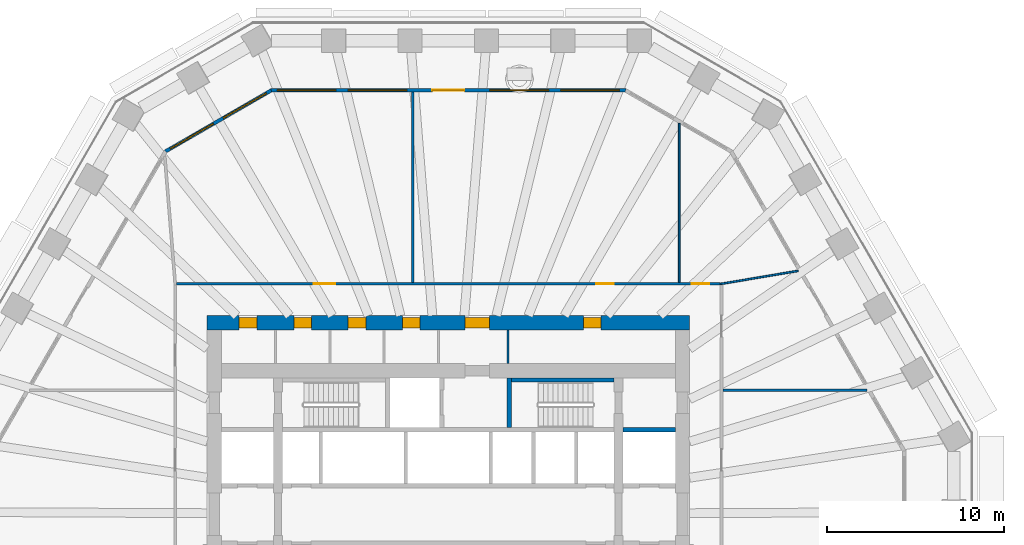
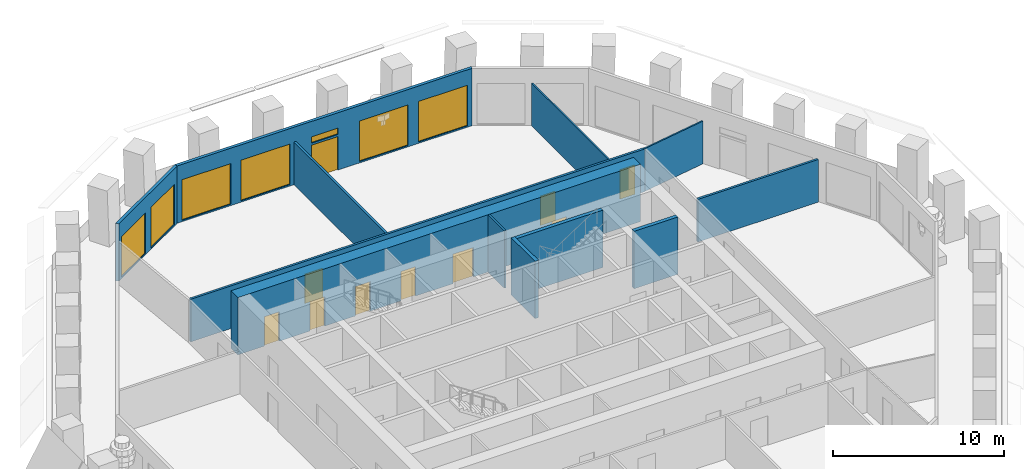
# One storey, part 7 of 12: 12 walls, 10 doors, 7 windows, 17 openings.
"""IFC4 building model written with IfcOpenShell, lengths in metres."""

import ifcopenshell
import ifcopenshell.guid

model = None  # the IFC model being written
_history = None  # IfcOwnerHistory: only IFC2X3 demands one
_inside = {}  # id of a spatial element -> (the spatial element, [elements in it])
_under = {}  # id of a project, library or spatial element -> (it, [spatial elements below it])
_declared = {}  # id of a project -> (the project, [libraries it declares])
_typed = {}  # id of a type object -> (the type object, [elements of that type])
_made_of = {}  # id of a material, layer set ... -> (it, [elements and type objects made of it])


def new_model(schema):
    """Start an empty IFC model of exactly this schema.

    Asked for "IFC4X3", IfcOpenShell would pick the latest addendum, in which some entities
    have other attributes; the version numbers below select the first issue.
    IFC2X3 requires an IfcOwnerHistory on every rooted entity: one is made here for all.
    """
    global model, _history
    if schema == "IFC4X3":
        model = ifcopenshell.file(schema_version=(4, 3, 0, 0))
    else:
        model = ifcopenshell.file(schema=schema)
    _inside.clear()
    _under.clear()
    _declared.clear()
    _typed.clear()
    _made_of.clear()
    _history = None
    if model.schema == "IFC2X3":
        org = make("IfcOrganization", Name="unknown")
        user = make(
            "IfcPersonAndOrganization",
            ThePerson=make("IfcPerson", FamilyName="unknown"),
            TheOrganization=org,
        )
        app = make(
            "IfcApplication",
            ApplicationDeveloper=org,
            Version="unknown",
            ApplicationFullName="unknown",
            ApplicationIdentifier="unknown",
        )
        _history = make(
            "IfcOwnerHistory",
            OwningUser=user,
            OwningApplication=app,
            ChangeAction="ADDED",
            CreationDate=0,
        )
    return model


def make(cls, **values):
    """One entity of the class cls with the attributes given. An attribute that is None is left unset."""
    return model.create_entity(
        cls, **{name: value for name, value in values.items() if value is not None}
    )


def rooted(cls, **values):
    """An entity with a GlobalId (a new one), such as an element, a storey or a relation."""
    return make(cls, GlobalId=ifcopenshell.guid.new(), OwnerHistory=_history, **values)


def si_unit(unit_type, name, prefix=None):
    """IfcSIUnit, for example si_unit("LENGTHUNIT", "METRE", prefix="MILLI")."""
    return make("IfcSIUnit", UnitType=unit_type, Prefix=prefix, Name=name)


def assignment(units):
    """IfcUnitAssignment: the units of a project."""
    return None if units is None else make("IfcUnitAssignment", Units=units)


def point(xyz):
    """IfcCartesianPoint."""
    return None if xyz is None else make("IfcCartesianPoint", Coordinates=xyz)


def direction(xyz):
    """IfcDirection."""
    return None if xyz is None else make("IfcDirection", DirectionRatios=xyz)


def frame(location, z_axis=None, x_axis=None):
    """IfcAxis2Placement3D, a coordinate frame: its origin and axes. An axis left out is left unset."""
    return make(
        "IfcAxis2Placement3D",
        Location=point(location),
        Axis=direction(z_axis),
        RefDirection=direction(x_axis),
    )


def frame_2d(location, x_axis=None):
    """IfcAxis2Placement2D, a coordinate frame in the plane: its origin and x axis."""
    return make(
        "IfcAxis2Placement2D", Location=point(location), RefDirection=direction(x_axis)
    )


def origin():
    """The frame at (0, 0, 0) with its axes left unset."""
    return frame((0.0, 0.0, 0.0))


def place(relative_to, where):
    """IfcLocalPlacement: puts the frame where relative to a parent placement (None: the world)."""
    return make(
        "IfcLocalPlacement", PlacementRelTo=relative_to, RelativePlacement=where
    )


def context(
    kind, dimensions, precision=None, world=None, true_north=None, identifier=None
):
    """IfcGeometricRepresentationContext, for example the 3D "Model" context."""
    return make(
        "IfcGeometricRepresentationContext",
        ContextIdentifier=identifier,
        ContextType=kind,
        CoordinateSpaceDimension=dimensions,
        Precision=precision,
        WorldCoordinateSystem=world,
        TrueNorth=true_north,
    )


def subcontext(parent, identifier, kind, view, scale=None):
    """IfcGeometricRepresentationSubContext, for example "Body" below "Model"."""
    return make(
        "IfcGeometricRepresentationSubContext",
        ContextIdentifier=identifier,
        ContextType=kind,
        ParentContext=parent,
        TargetScale=scale,
        TargetView=view,
    )


def project(units=None, contexts=None):
    """IfcProject with its units and contexts."""
    return rooted(
        "IfcProject",
        Name="project",
        RepresentationContexts=contexts,
        UnitsInContext=assignment(units),
    )


def spatial(cls, under=None, at=None, **own):
    """A site, building, storey or space (cls), placed at a placement, below another one or the project."""
    s = rooted(cls, ObjectPlacement=at, **own)
    if under is not None:
        _under.setdefault(under.id(), (under, []))[1].append(s)
    return s


def polyline(points):
    """IfcPolyline through the points."""
    return make("IfcPolyline", Points=[point(p) for p in points])


def profile(cls, at=None, kind="AREA", **sizes):
    """A parametric profile (cls). Its sizes go by their IFC names, for example OverallWidth=200.0."""
    return make(cls, ProfileType=kind, Position=at, **sizes)


def rectangle(**sizes):
    """IfcRectangleProfileDef."""
    return profile("IfcRectangleProfileDef", **sizes)


def outline(outer, holes=None, kind="AREA"):
    """IfcArbitraryClosedProfileDef: a profile drawn as a closed curve; with holes, ...WithVoids."""
    if holes is None:
        return make("IfcArbitraryClosedProfileDef", ProfileType=kind, OuterCurve=outer)
    return make(
        "IfcArbitraryProfileDefWithVoids",
        ProfileType=kind,
        OuterCurve=outer,
        InnerCurves=holes,
    )


def extrude(swept, where, along, depth):
    """IfcExtrudedAreaSolid: the profile swept, set in the frame where, extruded along a direction by depth."""
    return make(
        "IfcExtrudedAreaSolid",
        SweptArea=swept,
        Position=where,
        ExtrudedDirection=direction(along),
        Depth=depth,
    )


def shape(context_of_items, identifier, shape_type, items):
    """IfcShapeRepresentation: the items that make up one representation, for example the "Body"."""
    return make(
        "IfcShapeRepresentation",
        ContextOfItems=context_of_items,
        RepresentationIdentifier=identifier,
        RepresentationType=shape_type,
        Items=items,
    )


def material(Name=None, Category=None):
    """IfcMaterial."""
    return make("IfcMaterial", Name=Name, Category=Category)


def layer(
    of_material, thickness, ventilated=None, Name=None, Category=None, Priority=None
):
    """IfcMaterialLayer: one layer of a wall or slab, of a material (None: an air gap)."""
    return make(
        "IfcMaterialLayer",
        Material=of_material,
        LayerThickness=thickness,
        IsVentilated=ventilated,
        Name=Name,
        Category=Category,
        Priority=Priority,
    )


def layer_set(layers, Name=None):
    """IfcMaterialLayerSet."""
    return make("IfcMaterialLayerSet", MaterialLayers=layers, LayerSetName=Name)


def made_of(thing, what):
    """Note that an element or type object is made of a material, layer set ...; save() writes the relation."""
    if what is not None:
        _made_of.setdefault(what.id(), (what, []))[1].append(thing)
    return thing


def type_object(cls, material=None, **own):
    """A type object (cls), such as IfcWallType, which elements share."""
    return made_of(rooted(cls, **own), material)


def element(
    cls,
    number,
    at=None,
    inside=None,
    cuts=None,
    type_object=None,
    material=None,
    context=None,
    identifier="Body",
    shape_type=None,
    held_by="IfcProductDefinitionShape",
    body=None,
    shapes=None,
    **own,
):
    """One element of the class cls, such as IfcWall. Its Tag is "e" and its number.

    at: its placement. inside: the storey or other place that contains it. cuts: it is an
    opening in that element (IfcRelVoidsElement). A single representation is given by context,
    identifier, shape_type and body (its items); several are given by shapes. held_by: the class
    of the entity that holds the representations. save() writes the other relations.
    """
    e = rooted(cls, Tag="e%d" % number, ObjectPlacement=at, **own)
    if body is not None:
        shapes = [shape(context, identifier, shape_type, body)]
    if shapes is not None:
        e.Representation = make(held_by, Representations=shapes)
    if inside is not None:
        _inside.setdefault(inside.id(), (inside, []))[1].append(e)
    if cuts is not None:
        rooted(
            "IfcRelVoidsElement", RelatingBuildingElement=cuts, RelatedOpeningElement=e
        )
    if type_object is not None:
        _typed.setdefault(type_object.id(), (type_object, []))[1].append(e)
    return made_of(e, material)


def fill(opening, filler):
    """IfcRelFillsElement: the door or window that sits in an opening."""
    return rooted(
        "IfcRelFillsElement",
        RelatingOpeningElement=opening,
        RelatedBuildingElement=filler,
    )


def aggregate(whole, parts):
    """IfcRelAggregates: a whole, such as a stair, and the parts it consists of."""
    return rooted("IfcRelAggregates", RelatingObject=whole, RelatedObjects=parts)


def save(model, path):
    """Write the relations noted so far, then the file.

    IfcRelAggregates (storeys below a building ...), IfcRelContainedInSpatialStructure (elements
    in a storey), IfcRelDefinesByType, IfcRelAssociatesMaterial and IfcRelDeclares: one each for
    every whole, place, type object, material and project.
    """
    for whole, parts in _under.values():
        aggregate(whole, parts)
    for where, things in _inside.values():
        rooted(
            "IfcRelContainedInSpatialStructure",
            RelatedElements=things,
            RelatingStructure=where,
        )
    for kind, things in _typed.values():
        rooted("IfcRelDefinesByType", RelatedObjects=things, RelatingType=kind)
    for what, things in _made_of.values():
        rooted("IfcRelAssociatesMaterial", RelatedObjects=things, RelatingMaterial=what)
    for by, libraries in _declared.values():
        rooted("IfcRelDeclares", RelatingContext=by, RelatedDefinitions=libraries)
    model.write(path)


model = new_model("IFC4")

# Units and contexts
model_context = context("Model", 3, precision=1e-05, world=origin(), true_north=direction((0.0, 1.0)))
body_context = subcontext(model_context, "Body", "Model", "MODEL_VIEW")
ifc_project = project(units=[si_unit("LENGTHUNIT", "METRE"), si_unit("AREAUNIT", "SQUARE_METRE"), si_unit("VOLUMEUNIT", "CUBIC_METRE"), si_unit("PLANEANGLEUNIT", "RADIAN"), si_unit("MASSUNIT", "GRAM", prefix="KILO")], contexts=[model_context])

# Site, building, storey
site_placement = place(None, origin())
site = spatial("IfcSite", under=ifc_project, at=site_placement, CompositionType="ELEMENT")
building_placement = place(site_placement, origin())
building = spatial("IfcBuilding", under=site, at=building_placement, Name="Frailejon Research Tower", CompositionType="ELEMENT")
storey_placement = place(building_placement, frame((0.0, 0.0, 85.199951171875)))
storey = spatial("IfcBuildingStorey", under=building, at=storey_placement, Name="L18", CompositionType="ELEMENT", Elevation=85.199951171875)

# Wall
ifc_material_1 = material(Name="Plasterboard on steel studs", Category="steel")
ifc_layer_1 = layer(ifc_material_1, 0.125)
ifc_layer_set_1 = layer_set([ifc_layer_1], Name="Core partition 125")
wall_type_1 = type_object("IfcWallType", Name="Core partition 125", PredefinedType="PARTITIONING", material=ifc_layer_set_1)
wall_1_placement = place(storey_placement, frame((3.362548828125, 8.5, 0.0), z_axis=(0.0, 0.0, 1.0), x_axis=(0.0, 1.0, 0.0)))
element("IfcWall", 1, at=wall_1_placement, inside=storey, type_object=wall_type_1, Name="Core partition", PredefinedType="PARTITIONING", context=body_context, shape_type="SweptSolid", body=[
    extrude(rectangle(XDim=1.89990234375, YDim=0.125, at=frame_2d((0.949951171875, 0.0))), origin(), (0.0, 0.0, 1.0), 4.10009765625),
])

# Wall, openings, doors
ifc_material_2 = material(Name="Concrete C70/85", Category="concrete")
ifc_layer_2 = layer(ifc_material_2, 0.800048828125)
ifc_layer_set_2 = layer_set([ifc_layer_2], Name="Core shear wall 800 C70/85")
wall_type_2 = type_object("IfcWallType", Name="Core shear wall 800 C70/85", PredefinedType="SHEAR", material=ifc_layer_set_2)
wall_2_placement = place(storey_placement, frame((-13.60009765625, 10.800048828125, 0.0), z_axis=(0.0, 0.0, 1.0), x_axis=(1.0, 0.0, 0.0)))
wall_2 = element("IfcWall", 2, at=wall_2_placement, inside=storey, type_object=wall_type_2, Name="Core shear wall", PredefinedType="SHEAR", context=body_context, shape_type="SweptSolid", body=[
    extrude(rectangle(XDim=27.2001953125, YDim=0.800048828125, at=frame_2d((13.60009765625, 0.0))), origin(), (0.0, 0.0, 1.0), 4.10009765625),
])
opening_1_placement = place(wall_2_placement, frame((1.79833984375, 0.0, 0.0)))
opening_1 = element("IfcOpeningElement", 3, at=opening_1_placement, cuts=wall_2, Name="Opening D4", PredefinedType="OPENING", context=body_context, shape_type="SweptSolid", body=[
    extrude(rectangle(XDim=1.0, YDim=2.10009765625, at=frame_2d((0.5, 1.050048828125))), frame((0.0, 0.409912109375, 0.0), z_axis=(0.0, -1.0, 0.0), x_axis=(1.0, 0.0, 0.0)), (0.0, 0.0, 1.0), 0.820068359375),
])
opening_2_placement = place(wall_2_placement, frame((4.88916015625, 0.0, 0.0)))
opening_2 = element("IfcOpeningElement", 4, at=opening_2_placement, cuts=wall_2, Name="Opening D4", PredefinedType="OPENING", context=body_context, shape_type="SweptSolid", body=[
    extrude(rectangle(XDim=1.0, YDim=2.10009765625, at=frame_2d((0.5, 1.050048828125))), frame((0.0, 0.409912109375, 0.0), z_axis=(0.0, -1.0, 0.0), x_axis=(1.0, 0.0, 0.0)), (0.0, 0.0, 1.0), 0.820068359375),
])
opening_3_placement = place(wall_2_placement, frame((7.948486328125, 0.0, 0.0)))
opening_3 = element("IfcOpeningElement", 5, at=opening_3_placement, cuts=wall_2, Name="Opening D4", PredefinedType="OPENING", context=body_context, shape_type="SweptSolid", body=[
    extrude(rectangle(XDim=1.0, YDim=2.10009765625, at=frame_2d((0.5, 1.050048828125))), frame((0.0, 0.409912109375, 0.0), z_axis=(0.0, -1.0, 0.0), x_axis=(1.0, 0.0, 0.0)), (0.0, 0.0, 1.0), 0.820068359375),
])
opening_4_placement = place(wall_2_placement, frame((11.0078125, 0.0, 0.0)))
opening_4 = element("IfcOpeningElement", 6, at=opening_4_placement, cuts=wall_2, Name="Opening D4", PredefinedType="OPENING", context=body_context, shape_type="SweptSolid", body=[
    extrude(rectangle(XDim=1.0, YDim=2.10009765625, at=frame_2d((0.5, 1.050048828125))), frame((0.0, 0.409912109375, 0.0), z_axis=(0.0, -1.0, 0.0), x_axis=(1.0, 0.0, 0.0)), (0.0, 0.0, 1.0), 0.820068359375),
])
opening_5_placement = place(wall_2_placement, frame((21.21240234375, 0.0, 0.0)))
opening_5 = element("IfcOpeningElement", 7, at=opening_5_placement, cuts=wall_2, Name="Opening D4", PredefinedType="OPENING", context=body_context, shape_type="SweptSolid", body=[
    extrude(rectangle(XDim=1.0, YDim=2.10009765625, at=frame_2d((0.5, 1.050048828125))), frame((0.0, 0.409912109375, 0.0), z_axis=(0.0, -1.0, 0.0), x_axis=(1.0, 0.0, 0.0)), (0.0, 0.0, 1.0), 0.820068359375),
])
opening_6_placement = place(wall_2_placement, frame((14.52490234375, 0.0, 0.0)))
opening_6 = element("IfcOpeningElement", 8, at=opening_6_placement, cuts=wall_2, Name="Opening D9", PredefinedType="OPENING", context=body_context, shape_type="SweptSolid", body=[
    extrude(rectangle(XDim=1.39990234375, YDim=2.10009765625, at=frame_2d((0.699951171875, 1.050048828125))), frame((0.0, 0.409912109375, 0.0), z_axis=(0.0, -1.0, 0.0), x_axis=(1.0, 0.0, 0.0)), (0.0, 0.0, 1.0), 0.820068359375),
])
ifc_material_3 = material(Name="Steel", Category="steel")
door_type_1 = type_object("IfcDoorType", Name="Goods lobby door", OperationType="DOUBLE_DOOR_SINGLE_SWING", PredefinedType="DOOR", material=ifc_material_3)
door_1_placement = place(opening_6_placement, origin())
door_1 = element("IfcDoor", 9, at=door_1_placement, inside=storey, type_object=door_type_1, Name="Passage door", OperationType="DOUBLE_DOOR_SINGLE_SWING", OverallHeight=2.10009765625, OverallWidth=1.39990234375, PredefinedType="DOOR", context=body_context, shape_type="SweptSolid", body=[
    extrude(rectangle(XDim=1.39990234375, YDim=2.10009765625, at=frame_2d((0.699951171875, 1.050048828125))), frame((0.0, 0.300048828125, 0.0), z_axis=(0.0, -1.0, 0.0), x_axis=(1.0, 0.0, 0.0)), (0.0, 0.0, 1.0), 0.60009765625),
])
fill(opening_6, door_1)
ifc_material_4 = material(Name="Steel", Category="steel")
door_type_2 = type_object("IfcDoorType", Name="Service door", OperationType="SINGLE_SWING_LEFT", PredefinedType="DOOR", material=ifc_material_4)
door_2_placement = place(opening_1_placement, origin())
door_2 = element("IfcDoor", 10, at=door_2_placement, inside=storey, type_object=door_type_2, Name="Room door", OperationType="SINGLE_SWING_RIGHT", OverallHeight=2.10009765625, OverallWidth=1.0, PredefinedType="DOOR", context=body_context, shape_type="SweptSolid", body=[
    extrude(rectangle(XDim=1.0, YDim=2.10009765625, at=frame_2d((0.5, 1.050048828125))), frame((0.0, 0.300048828125, 0.0), z_axis=(0.0, -1.0, 0.0), x_axis=(1.0, 0.0, 0.0)), (0.0, 0.0, 1.0), 0.60009765625),
])
fill(opening_1, door_2)
door_3_placement = place(opening_2_placement, origin())
door_3 = element("IfcDoor", 11, at=door_3_placement, inside=storey, type_object=door_type_2, Name="Room door", OperationType="SINGLE_SWING_LEFT", OverallHeight=2.10009765625, OverallWidth=1.0, PredefinedType="DOOR", context=body_context, shape_type="SweptSolid", body=[
    extrude(rectangle(XDim=1.0, YDim=2.10009765625, at=frame_2d((0.5, 1.050048828125))), frame((0.0, 0.300048828125, 0.0), z_axis=(0.0, -1.0, 0.0), x_axis=(1.0, 0.0, 0.0)), (0.0, 0.0, 1.0), 0.60009765625),
])
fill(opening_2, door_3)
door_4_placement = place(opening_3_placement, origin())
door_4 = element("IfcDoor", 12, at=door_4_placement, inside=storey, type_object=door_type_2, Name="Room door", OperationType="SINGLE_SWING_RIGHT", OverallHeight=2.10009765625, OverallWidth=1.0, PredefinedType="DOOR", context=body_context, shape_type="SweptSolid", body=[
    extrude(rectangle(XDim=1.0, YDim=2.10009765625, at=frame_2d((0.5, 1.050048828125))), frame((0.0, 0.300048828125, 0.0), z_axis=(0.0, -1.0, 0.0), x_axis=(1.0, 0.0, 0.0)), (0.0, 0.0, 1.0), 0.60009765625),
])
fill(opening_3, door_4)
door_5_placement = place(opening_4_placement, origin())
door_5 = element("IfcDoor", 13, at=door_5_placement, inside=storey, type_object=door_type_2, Name="Room door", OperationType="SINGLE_SWING_LEFT", OverallHeight=2.10009765625, OverallWidth=1.0, PredefinedType="DOOR", context=body_context, shape_type="SweptSolid", body=[
    extrude(rectangle(XDim=1.0, YDim=2.10009765625, at=frame_2d((0.5, 1.050048828125))), frame((0.0, 0.300048828125, 0.0), z_axis=(0.0, -1.0, 0.0), x_axis=(1.0, 0.0, 0.0)), (0.0, 0.0, 1.0), 0.60009765625),
])
fill(opening_4, door_5)
door_6_placement = place(opening_5_placement, origin())
door_6 = element("IfcDoor", 14, at=door_6_placement, inside=storey, type_object=door_type_2, Name="Room door", OperationType="SINGLE_SWING_RIGHT", OverallHeight=2.10009765625, OverallWidth=1.0, PredefinedType="DOOR", context=body_context, shape_type="SweptSolid", body=[
    extrude(rectangle(XDim=1.0, YDim=2.10009765625, at=frame_2d((0.5, 1.050048828125))), frame((0.0, 0.300048828125, 0.0), z_axis=(0.0, -1.0, 0.0), x_axis=(1.0, 0.0, 0.0)), (0.0, 0.0, 1.0), 0.60009765625),
])
fill(opening_5, door_6)

ifc_material_5 = material(Name="Gypsum board and masonry partition", Category="masonry")
ifc_layer_3 = layer(ifc_material_5, 0.14990234375)
ifc_layer_set_3 = layer_set([ifc_layer_3], Name="Corridor wall EI 60, gypsum on steel studs 150")
wall_type_3 = type_object("IfcWallType", Name="Corridor wall EI 60, gypsum on steel studs 150", PredefinedType="PARTITIONING", material=ifc_layer_set_3)
wall_3_placement = place(storey_placement, frame((-15.324951171875, 13.0, 0.0), z_axis=(0.0, 0.0, 1.0), x_axis=(1.0, 0.0, 0.0)))
wall_3 = element("IfcWall", 15, at=wall_3_placement, inside=storey, type_object=wall_type_3, Name="T:IW:L18:002", PredefinedType="PARTITIONING", context=body_context, shape_type="SweptSolid", body=[
    extrude(rectangle(XDim=30.675048828125, YDim=0.14990234375, at=frame_2d((15.33740234375, 0.0))), origin(), (0.0, 0.0, 1.0), 3.050048828125),
])
opening_7_placement = place(wall_3_placement, frame((29.032958984375, 0.0, 0.0)))
opening_7 = element("IfcOpeningElement", 16, at=opening_7_placement, cuts=wall_3, Name="Opening D1500", PredefinedType="OPENING", context=body_context, shape_type="SweptSolid", body=[
    extrude(rectangle(XDim=1.0, YDim=2.10009765625, at=frame_2d((0.5, 1.050048828125))), frame((0.0, 0.0849609375, 0.0), z_axis=(0.0, -1.0, 0.0), x_axis=(1.0, 0.0, 0.0)), (0.0, 0.0, 1.0), 0.169921875),
])
opening_8_placement = place(wall_3_placement, frame((23.661376953125, 0.0, 0.0)))
opening_8 = element("IfcOpeningElement", 17, at=opening_8_placement, cuts=wall_3, Name="Opening D1501", PredefinedType="OPENING", context=body_context, shape_type="SweptSolid", body=[
    extrude(rectangle(XDim=1.0, YDim=2.10009765625, at=frame_2d((0.5, 1.050048828125))), frame((0.0, 0.0849609375, 0.0), z_axis=(0.0, -1.0, 0.0), x_axis=(1.0, 0.0, 0.0)), (0.0, 0.0, 1.0), 0.169921875),
])
opening_9_placement = place(wall_3_placement, frame((7.747802734375, 0.0, 0.0)))
opening_9 = element("IfcOpeningElement", 18, at=opening_9_placement, cuts=wall_3, Name="Opening D1502", PredefinedType="OPENING", context=body_context, shape_type="SweptSolid", body=[
    extrude(rectangle(XDim=1.199951171875, YDim=2.10009765625, at=frame_2d((0.60009765625, 1.050048828125))), frame((0.0, 0.0849609375, 0.0), z_axis=(0.0, -1.0, 0.0), x_axis=(1.0, 0.0, 0.0)), (0.0, 0.0, 1.0), 0.169921875),
])
ifc_material_6 = material(Name="Timber door leaf", Category="wood")
door_type_3 = type_object("IfcDoorType", Name="Door laboratory, timber, vision panel 1200", OperationType="NOTDEFINED", PredefinedType="DOOR", material=ifc_material_6)
door_7_placement = place(opening_9_placement, origin())
door_7 = element("IfcDoor", 19, at=door_7_placement, inside=storey, type_object=door_type_3, Name="D1502", OperationType="DOUBLE_DOOR_SINGLE_SWING", OverallHeight=2.10009765625, OverallWidth=1.199951171875, PredefinedType="DOOR", context=body_context, shape_type="SweptSolid", body=[
    extrude(rectangle(XDim=1.199951171875, YDim=2.10009765625, at=frame_2d((0.60009765625, 1.050048828125))), frame((0.0, 0.02490234375, 0.0), z_axis=(0.0, -1.0, 0.0), x_axis=(1.0, 0.0, 0.0)), (0.0, 0.0, 1.0), 0.050048828125),
])
fill(opening_9, door_7)
ifc_material_7 = material(Name="Timber door leaf", Category="wood")
door_type_4 = type_object("IfcDoorType", Name="Door single leaf, timber, steel frame 1000", OperationType="NOTDEFINED", PredefinedType="DOOR", material=ifc_material_7)
door_8_placement = place(opening_7_placement, origin())
door_8 = element("IfcDoor", 20, at=door_8_placement, inside=storey, type_object=door_type_4, Name="D1500", OperationType="SINGLE_SWING_LEFT", OverallHeight=2.10009765625, OverallWidth=1.0, PredefinedType="DOOR", context=body_context, shape_type="SweptSolid", body=[
    extrude(rectangle(XDim=1.0, YDim=2.10009765625, at=frame_2d((0.5, 1.050048828125))), frame((0.0, 0.02490234375, 0.0), z_axis=(0.0, -1.0, 0.0), x_axis=(1.0, 0.0, 0.0)), (0.0, 0.0, 1.0), 0.050048828125),
])
fill(opening_7, door_8)
door_9_placement = place(opening_8_placement, origin())
door_9 = element("IfcDoor", 21, at=door_9_placement, inside=storey, type_object=door_type_4, Name="D1501", OperationType="SINGLE_SWING_RIGHT", OverallHeight=2.10009765625, OverallWidth=1.0, PredefinedType="DOOR", context=body_context, shape_type="SweptSolid", body=[
    extrude(rectangle(XDim=1.0, YDim=2.10009765625, at=frame_2d((0.5, 1.050048828125))), frame((0.0, 0.02490234375, 0.0), z_axis=(0.0, -1.0, 0.0), x_axis=(1.0, 0.0, 0.0)), (0.0, 0.0, 1.0), 0.050048828125),
])
fill(opening_8, door_9)

# Walls
ifc_material_8 = material(Name="Gypsum board and masonry partition", Category="masonry")
ifc_layer_4 = layer(ifc_material_8, 0.14990234375)
ifc_layer_set_4 = layer_set([ifc_layer_4], Name="Laboratory partition, blockwork 150")
wall_type_4 = type_object("IfcWallType", Name="Laboratory partition, blockwork 150", PredefinedType="PARTITIONING", material=ifc_layer_set_4)
wall_4_placement = place(storey_placement, frame((15.47509765625, 6.989013671875, 0.0), z_axis=(0.0, 0.0, 1.0), x_axis=(1.0, 0.0, 0.0)))
element("IfcWall", 22, at=wall_4_placement, inside=storey, type_object=wall_type_4, Name="T:IW:L18:006", PredefinedType="PARTITIONING", context=body_context, shape_type="SweptSolid", body=[
    extrude(rectangle(XDim=8.13134765625, YDim=0.14990234375, at=frame_2d((4.065673828125, 0.0))), origin(), (0.0, 0.0, 1.0), 3.050048828125),
])
wall_5_placement = place(storey_placement, frame((-2.003173828125, 13.074951171875, 0.0), z_axis=(0.0, 0.0, 1.0), x_axis=(0.0, 1.0, 0.0)))
element("IfcWall", 23, at=wall_5_placement, inside=storey, type_object=wall_type_4, Name="T:IW:L18:009", PredefinedType="PARTITIONING", context=body_context, shape_type="SweptSolid", body=[
    extrude(rectangle(XDim=10.72509765625, YDim=0.14990234375, at=frame_2d((5.362548828125, 0.0))), origin(), (0.0, 0.0, 1.0), 3.050048828125),
])
ifc_material_9 = material(Name="Gypsum board and masonry partition", Category="masonry")
ifc_layer_5 = layer(ifc_material_9, 0.10009765625)
ifc_layer_set_5 = layer_set([ifc_layer_5], Name="Partition, gypsum on steel studs 100")
wall_type_5 = type_object("IfcWallType", Name="Partition, gypsum on steel studs 100", PredefinedType="PARTITIONING", material=ifc_layer_set_5)
wall_6_placement = place(storey_placement, frame((15.325927734375, 12.987548828125, 0.0), z_axis=(0.0, 0.0, 1.0), x_axis=(0.986109391128, 0.166097166531, 0.0)))
element("IfcWall", 24, at=wall_6_placement, inside=storey, type_object=wall_type_5, Name="T:IW:L18:014", PredefinedType="PARTITIONING", context=body_context, shape_type="SweptSolid", body=[
    extrude(rectangle(XDim=4.4521484375, YDim=0.10009765625, at=frame_2d((2.22607421875, 0.0))), origin(), (0.0, 0.0, 1.0), 3.050048828125),
])
wall_7_placement = place(storey_placement, frame((13.01611328125, 13.074951171875, 0.0), z_axis=(0.0, 0.0, 1.0), x_axis=(0.0, 1.0, 0.0)))
element("IfcWall", 25, at=wall_7_placement, inside=storey, type_object=wall_type_5, Name="T:IW:L18:015", PredefinedType="PARTITIONING", context=body_context, shape_type="SweptSolid", body=[
    extrude(rectangle(XDim=8.962158203125, YDim=0.10009765625, at=frame_2d((4.48095703125, 0.0))), origin(), (0.0, 0.0, 1.0), 3.050048828125),
])
ifc_material_10 = material(Name="Concrete C70/85", Category="concrete")
ifc_layer_6 = layer(ifc_material_10, 0.25)
ifc_layer_set_6 = layer_set([ifc_layer_6], Name="Shaft wall 250 C70/85")
wall_type_6 = type_object("IfcWallType", Name="Shaft wall 250 C70/85", PredefinedType="SOLIDWALL", material=ifc_layer_set_6)
wall_8_placement = place(storey_placement, frame((9.85009765625, 4.77490234375, 0.0), z_axis=(0.0, 0.0, 1.0), x_axis=(1.0, 0.0, 0.0)))
element("IfcWall", 26, at=wall_8_placement, inside=storey, type_object=wall_type_6, Name="Shaft wall", PredefinedType="SOLIDWALL", context=body_context, shape_type="SweptSolid", body=[
    extrude(rectangle(XDim=2.949951171875, YDim=0.25, at=frame_2d((1.47509765625, 0.0))), origin(), (0.0, 0.0, 1.0), 4.10009765625),
])
wall_9_placement = place(storey_placement, frame((3.550048828125, 7.574951171875, 0.0), z_axis=(0.0, 0.0, 1.0), x_axis=(1.0, 0.0, 0.0)))
element("IfcWall", 27, at=wall_9_placement, inside=storey, type_object=wall_type_6, Name="Shaft wall", PredefinedType="SOLIDWALL", context=body_context, shape_type="SweptSolid", body=[
    extrude(rectangle(XDim=5.800048828125, YDim=0.25, at=frame_2d((2.89990234375, 0.0))), origin(), (0.0, 0.0, 1.0), 4.10009765625),
])
wall_10_placement = place(storey_placement, frame((3.425048828125, 4.89990234375, 0.0), z_axis=(0.0, 0.0, 1.0), x_axis=(0.0, 1.0, 0.0)))
element("IfcWall", 28, at=wall_10_placement, inside=storey, type_object=wall_type_6, Name="Shaft wall", PredefinedType="SOLIDWALL", context=body_context, shape_type="SweptSolid", body=[
    extrude(rectangle(XDim=2.800048828125, YDim=0.25, at=frame_2d((1.39990234375, 0.0))), origin(), (0.0, 0.0, 1.0), 4.10009765625),
])

# Wall, openings, door, windows
ifc_material_11 = material(Name="Concrete C40/50 precast window wall panel", Category="concrete")
ifc_layer_7 = layer(ifc_material_11, 0.199951171875)
ifc_layer_set_7 = layer_set([ifc_layer_7], Name="Window wall 200")
wall_type_7 = type_object("IfcWallType", Name="Window wall 200", PredefinedType="SOLIDWALL", material=ifc_layer_set_7)
wall_11_placement = place(storey_placement, frame((9.9892578125, 23.89990234375, 0.0), z_axis=(0.0, 0.0, 1.0), x_axis=(-1.0, 0.0, 0.0)))
wall_11 = element("IfcWall", 29, at=wall_11_placement, inside=storey, type_object=wall_type_7, Name="Exterior wall L18", PredefinedType="SOLIDWALL", context=body_context, shape_type="SweptSolid", body=[
    extrude(outline(polyline([(-0.02685546875, -0.10009765625), (1.027587890625, -0.10009765625), (2.081787109375, -0.10009765625), (3.13623046875, -0.10009765625), (4.1904296875, -0.10009765625), (5.244873046875, -0.10009765625), (6.299072265625, -0.10009765625), (7.353515625, -0.10009765625), (8.40771484375, -0.10009765625), (9.462158203125, -0.10009765625), (10.516357421875, -0.10009765625), (11.57080078125, -0.10009765625), (12.625, -0.10009765625), (13.679443359375, -0.10009765625), (14.733642578125, -0.10009765625), (15.7880859375, -0.10009765625), (16.84228515625, -0.10009765625), (17.896728515625, -0.10009765625), (18.950927734375, -0.10009765625), (20.00537109375, -0.10009765625), (19.95166015625, 0.10009765625), (18.903076171875, 0.10009765625), (17.854248046875, 0.10009765625), (16.8056640625, 0.10009765625), (15.757080078125, 0.10009765625), (14.708251953125, 0.10009765625), (13.65966796875, 0.10009765625), (12.61083984375, 0.10009765625), (11.562255859375, 0.10009765625), (10.513671875, 0.10009765625), (9.46484375, 0.10009765625), (8.416259765625, 0.10009765625), (7.36767578125, 0.10009765625), (6.31884765625, 0.10009765625), (5.270263671875, 0.10009765625), (4.221435546875, 0.10009765625), (3.1728515625, 0.10009765625), (2.124267578125, 0.10009765625), (1.075439453125, 0.10009765625), (0.02685546875, 0.10009765625), (-0.02685546875, -0.10009765625)])), origin(), (0.0, 0.0, 1.0), 4.10009765625),
])
opening_10_placement = place(wall_11_placement, frame((0.347900390625, 0.0, 0.10009765625)))
opening_10 = element("IfcOpeningElement", 30, at=opening_10_placement, cuts=wall_11, Name="Opening W5", PredefinedType="OPENING", context=body_context, shape_type="SweptSolid", body=[
    extrude(rectangle(XDim=3.300048828125, YDim=2.89990234375, at=frame_2d((1.64990234375, 1.449951171875))), frame((0.0, 0.10986328125, 0.0), z_axis=(0.0, -1.0, 0.0), x_axis=(1.0, 0.0, 0.0)), (0.0, 0.0, 1.0), 0.219970703125),
])
opening_11_placement = place(wall_11_placement, frame((4.343505859375, 0.0, 0.10009765625)))
opening_11 = element("IfcOpeningElement", 31, at=opening_11_placement, cuts=wall_11, Name="Opening W5", PredefinedType="OPENING", context=body_context, shape_type="SweptSolid", body=[
    extrude(rectangle(XDim=3.300048828125, YDim=2.89990234375, at=frame_2d((1.64990234375, 1.449951171875))), frame((0.0, 0.10986328125, 0.0), z_axis=(0.0, -1.0, 0.0), x_axis=(1.0, 0.0, 0.0)), (0.0, 0.0, 1.0), 0.219970703125),
])
opening_12_placement = place(wall_11_placement, frame((9.08935546875, 0.0, 0.0)))
opening_12 = element("IfcOpeningElement", 32, at=opening_12_placement, cuts=wall_11, Name="Opening LG18-2", PredefinedType="OPENING", context=body_context, shape_type="SweptSolid", body=[
    extrude(rectangle(XDim=1.800048828125, YDim=2.39990234375, at=frame_2d((0.89990234375, 1.199951171875))), frame((0.0, 0.10986328125, 0.0), z_axis=(0.0, -1.0, 0.0), x_axis=(1.0, 0.0, 0.0)), (0.0, 0.0, 1.0), 0.219970703125),
])
opening_13_placement = place(wall_11_placement, frame((9.08935546875, 0.0, 2.550048828125)))
opening_13 = element("IfcOpeningElement", 33, at=opening_13_placement, cuts=wall_11, Name="Opening W1", PredefinedType="OPENING", context=body_context, shape_type="SweptSolid", body=[
    extrude(rectangle(XDim=1.800048828125, YDim=0.449951171875, at=frame_2d((0.89990234375, 0.22509765625))), frame((0.0, 0.10986328125, 0.0), z_axis=(0.0, -1.0, 0.0), x_axis=(1.0, 0.0, 0.0)), (0.0, 0.0, 1.0), 0.219970703125),
])
opening_14_placement = place(wall_11_placement, frame((12.3349609375, 0.0, 0.10009765625)))
opening_14 = element("IfcOpeningElement", 34, at=opening_14_placement, cuts=wall_11, Name="Opening W5", PredefinedType="OPENING", context=body_context, shape_type="SweptSolid", body=[
    extrude(rectangle(XDim=3.300048828125, YDim=2.89990234375, at=frame_2d((1.64990234375, 1.449951171875))), frame((0.0, 0.10986328125, 0.0), z_axis=(0.0, -1.0, 0.0), x_axis=(1.0, 0.0, 0.0)), (0.0, 0.0, 1.0), 0.219970703125),
])
opening_15_placement = place(wall_11_placement, frame((16.330810546875, 0.0, 0.10009765625)))
opening_15 = element("IfcOpeningElement", 35, at=opening_15_placement, cuts=wall_11, Name="Opening W5", PredefinedType="OPENING", context=body_context, shape_type="SweptSolid", body=[
    extrude(rectangle(XDim=3.300048828125, YDim=2.89990234375, at=frame_2d((1.64990234375, 1.449951171875))), frame((0.0, 0.10986328125, 0.0), z_axis=(0.0, -1.0, 0.0), x_axis=(1.0, 0.0, 0.0)), (0.0, 0.0, 1.0), 0.219970703125),
])
ifc_material_12 = material(Name="Aluminium framed glazed door leaf", Category="aluminium")
door_type_5 = type_object("IfcDoorType", Name="Loggia door 1800x2400", OperationType="DOUBLE_DOOR_SINGLE_SWING", PredefinedType="DOOR", material=ifc_material_12)
door_10_placement = place(opening_12_placement, origin())
door_10 = element("IfcDoor", 36, at=door_10_placement, inside=storey, type_object=door_type_5, Name="Door LG18-2", OperationType="DOUBLE_DOOR_SINGLE_SWING", OverallHeight=2.39990234375, OverallWidth=1.800048828125, PredefinedType="DOOR", context=body_context, shape_type="SweptSolid", body=[
    extrude(rectangle(XDim=1.800048828125, YDim=2.39990234375, at=frame_2d((0.89990234375, 1.199951171875))), frame((0.0, 0.02490234375, 0.0), z_axis=(0.0, -1.0, 0.0), x_axis=(1.0, 0.0, 0.0)), (0.0, 0.0, 1.0), 0.050048828125),
])
fill(opening_12, door_10)
ifc_material_13 = material(Name="Aluminium framed double glazing", Category="aluminium")
window_type_1 = type_object("IfcWindowType", Name="Window 1800x450", PartitioningType="SINGLE_PANEL", PredefinedType="WINDOW", material=ifc_material_13)
window_1_placement = place(opening_13_placement, origin())
window_1 = element("IfcWindow", 37, at=window_1_placement, inside=storey, type_object=window_type_1, Name="Window L18", OverallHeight=0.449951171875, OverallWidth=1.800048828125, PartitioningType="SINGLE_PANEL", PredefinedType="WINDOW", context=body_context, shape_type="SweptSolid", body=[
    extrude(rectangle(XDim=1.800048828125, YDim=0.449951171875, at=frame_2d((0.89990234375, 0.22509765625))), frame((0.0, 0.030029296875, 0.0), z_axis=(0.0, -1.0, 0.0), x_axis=(1.0, 0.0, 0.0)), (0.0, 0.0, 1.0), 0.06005859375),
])
fill(opening_13, window_1)
ifc_material_14 = material(Name="Aluminium framed double glazing", Category="aluminium")
window_type_2 = type_object("IfcWindowType", Name="Window 3300x2900", PartitioningType="SINGLE_PANEL", PredefinedType="WINDOW", material=ifc_material_14)
window_2_placement = place(opening_10_placement, origin())
window_2 = element("IfcWindow", 38, at=window_2_placement, inside=storey, type_object=window_type_2, Name="Window L18", OverallHeight=2.89990234375, OverallWidth=3.300048828125, PartitioningType="SINGLE_PANEL", PredefinedType="WINDOW", context=body_context, shape_type="SweptSolid", body=[
    extrude(rectangle(XDim=3.300048828125, YDim=2.89990234375, at=frame_2d((1.64990234375, 1.449951171875))), frame((0.0, 0.030029296875, 0.0), z_axis=(0.0, -1.0, 0.0), x_axis=(1.0, 0.0, 0.0)), (0.0, 0.0, 1.0), 0.06005859375),
])
fill(opening_10, window_2)
window_3_placement = place(opening_11_placement, origin())
window_3 = element("IfcWindow", 39, at=window_3_placement, inside=storey, type_object=window_type_2, Name="Window L18", OverallHeight=2.89990234375, OverallWidth=3.300048828125, PartitioningType="SINGLE_PANEL", PredefinedType="WINDOW", context=body_context, shape_type="SweptSolid", body=[
    extrude(rectangle(XDim=3.300048828125, YDim=2.89990234375, at=frame_2d((1.64990234375, 1.449951171875))), frame((0.0, 0.030029296875, 0.0), z_axis=(0.0, -1.0, 0.0), x_axis=(1.0, 0.0, 0.0)), (0.0, 0.0, 1.0), 0.06005859375),
])
fill(opening_11, window_3)
window_4_placement = place(opening_14_placement, origin())
window_4 = element("IfcWindow", 40, at=window_4_placement, inside=storey, type_object=window_type_2, Name="Window L18", OverallHeight=2.89990234375, OverallWidth=3.300048828125, PartitioningType="SINGLE_PANEL", PredefinedType="WINDOW", context=body_context, shape_type="SweptSolid", body=[
    extrude(rectangle(XDim=3.300048828125, YDim=2.89990234375, at=frame_2d((1.64990234375, 1.449951171875))), frame((0.0, 0.030029296875, 0.0), z_axis=(0.0, -1.0, 0.0), x_axis=(1.0, 0.0, 0.0)), (0.0, 0.0, 1.0), 0.06005859375),
])
fill(opening_14, window_4)
window_5_placement = place(opening_15_placement, origin())
window_5 = element("IfcWindow", 41, at=window_5_placement, inside=storey, type_object=window_type_2, Name="Window L18", OverallHeight=2.89990234375, OverallWidth=3.300048828125, PartitioningType="SINGLE_PANEL", PredefinedType="WINDOW", context=body_context, shape_type="SweptSolid", body=[
    extrude(rectangle(XDim=3.300048828125, YDim=2.89990234375, at=frame_2d((1.64990234375, 1.449951171875))), frame((0.0, 0.030029296875, 0.0), z_axis=(0.0, -1.0, 0.0), x_axis=(1.0, 0.0, 0.0)), (0.0, 0.0, 1.0), 0.06005859375),
])
fill(opening_15, window_5)

# Wall, openings, windows
wall_12_placement = place(storey_placement, frame((-9.9892578125, 23.89990234375, 0.0), z_axis=(0.0, 0.0, 1.0), x_axis=(-0.866029458321, -0.49999297727, 0.0)))
wall_12 = element("IfcWall", 42, at=wall_12_placement, inside=storey, type_object=wall_type_7, Name="Exterior wall L18", PredefinedType="SOLIDWALL", context=body_context, shape_type="SweptSolid", body=[
    extrude(outline(polyline([(-0.02685546875, -0.10009765625), (1.1279296875, -0.10009765625), (2.282470703125, -0.10009765625), (3.437255859375, -0.10009765625), (4.592041015625, -0.10009765625), (5.74658203125, -0.10009765625), (6.9013671875, -0.10009765625), (6.84765625, 0.10009765625), (5.7109375, 0.10009765625), (4.573974609375, 0.10009765625), (3.437255859375, 0.10009765625), (2.300537109375, 0.10009765625), (1.16357421875, 0.10009765625), (0.02685546875, 0.10009765625), (-0.02685546875, -0.10009765625)])), origin(), (0.0, 0.0, 1.0), 4.10009765625),
])
opening_16_placement = place(wall_12_placement, frame((0.318603515625, 0.0, 0.10009765625)))
opening_16 = element("IfcOpeningElement", 43, at=opening_16_placement, cuts=wall_12, Name="Opening W3", PredefinedType="OPENING", context=body_context, shape_type="SweptSolid", body=[
    extrude(rectangle(XDim=2.800048828125, YDim=2.89990234375, at=frame_2d((1.39990234375, 1.449951171875))), frame((0.0, 0.10986328125, 0.0), z_axis=(0.0, -1.0, 0.0), x_axis=(1.0, 0.0, 0.0)), (0.0, 0.0, 1.0), 0.219970703125),
])
opening_17_placement = place(wall_12_placement, frame((3.756103515625, 0.0, 0.10009765625)))
opening_17 = element("IfcOpeningElement", 44, at=opening_17_placement, cuts=wall_12, Name="Opening W3", PredefinedType="OPENING", context=body_context, shape_type="SweptSolid", body=[
    extrude(rectangle(XDim=2.800048828125, YDim=2.89990234375, at=frame_2d((1.39990234375, 1.449951171875))), frame((0.0, 0.10986328125, 0.0), z_axis=(0.0, -1.0, 0.0), x_axis=(1.0, 0.0, 0.0)), (0.0, 0.0, 1.0), 0.219970703125),
])
ifc_material_15 = material(Name="Aluminium framed double glazing", Category="aluminium")
window_type_3 = type_object("IfcWindowType", Name="Window 2800x2900", PartitioningType="SINGLE_PANEL", PredefinedType="WINDOW", material=ifc_material_15)
window_6_placement = place(opening_16_placement, origin())
window_6 = element("IfcWindow", 45, at=window_6_placement, inside=storey, type_object=window_type_3, Name="Window L18", OverallHeight=2.89990234375, OverallWidth=2.800048828125, PartitioningType="SINGLE_PANEL", PredefinedType="WINDOW", context=body_context, shape_type="SweptSolid", body=[
    extrude(rectangle(XDim=2.800048828125, YDim=2.89990234375, at=frame_2d((1.39990234375, 1.449951171875))), frame((0.0, 0.030029296875, 0.0), z_axis=(0.0, -1.0, 0.0), x_axis=(1.0, 0.0, 0.0)), (0.0, 0.0, 1.0), 0.06005859375),
])
fill(opening_16, window_6)
window_7_placement = place(opening_17_placement, origin())
window_7 = element("IfcWindow", 46, at=window_7_placement, inside=storey, type_object=window_type_3, Name="Window L18", OverallHeight=2.89990234375, OverallWidth=2.800048828125, PartitioningType="SINGLE_PANEL", PredefinedType="WINDOW", context=body_context, shape_type="SweptSolid", body=[
    extrude(rectangle(XDim=2.800048828125, YDim=2.89990234375, at=frame_2d((1.39990234375, 1.449951171875))), frame((0.0, 0.030029296875, 0.0), z_axis=(0.0, -1.0, 0.0), x_axis=(1.0, 0.0, 0.0)), (0.0, 0.0, 1.0), 0.06005859375),
])
fill(opening_17, window_7)

save(model, "model.ifc")
